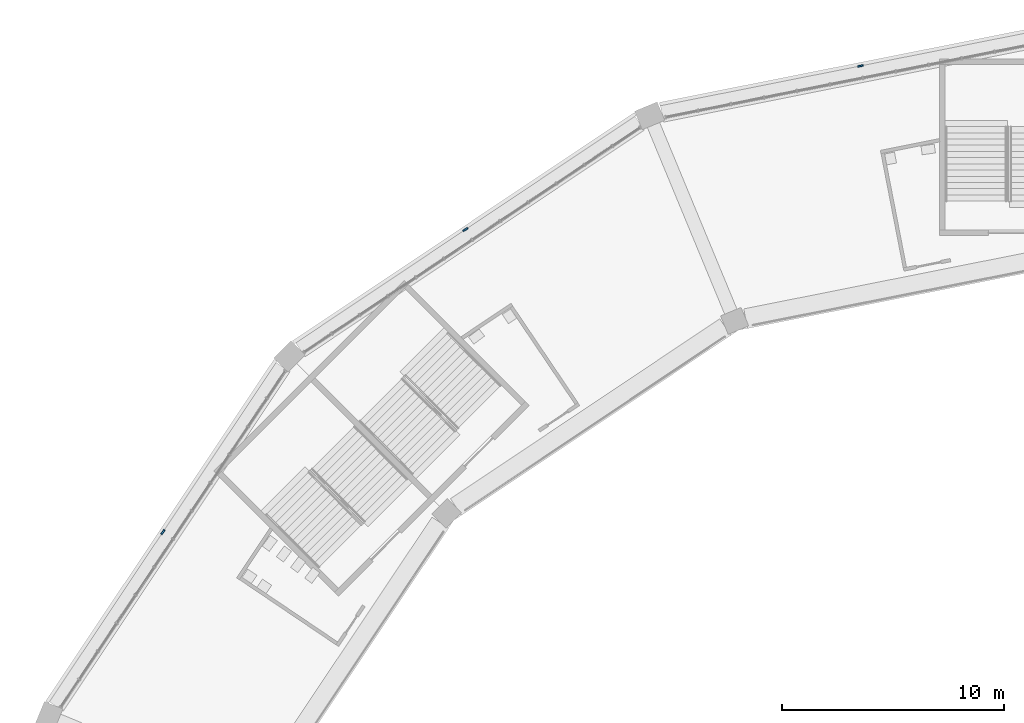
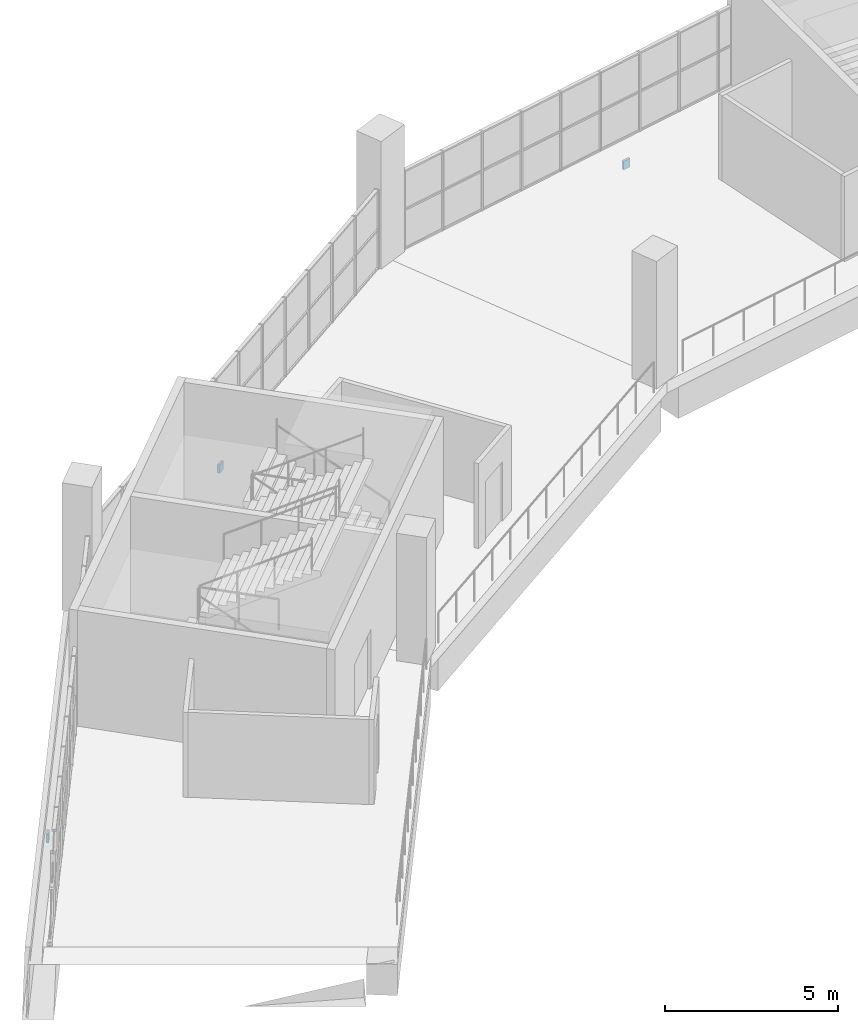
# One storey, part 78 of 177: 3 discrete accessories.
"""IFC4 building model written with IfcOpenShell, lengths in metres."""

from ifc_helpers import new_model, si_unit, direction, frame, origin, origin_2d, place, context, subcontext, project, spatial, rectangle, extrude, material, layer, layer_set, type_object, element, save


model = new_model("IFC4")

# Units and contexts
model_context = context("Model", 3, precision=1e-05, world=origin(), true_north=direction((0.0, 1.0)))
body_context = subcontext(model_context, "Body", "Model", "MODEL_VIEW")
ifc_project = project(units=[si_unit("LENGTHUNIT", "METRE"), si_unit("AREAUNIT", "SQUARE_METRE"), si_unit("VOLUMEUNIT", "CUBIC_METRE"), si_unit("PLANEANGLEUNIT", "RADIAN"), si_unit("MASSUNIT", "GRAM", prefix="KILO")], contexts=[model_context])

# Site, building, storey
site_placement = place(None, origin())
site = spatial("IfcSite", under=ifc_project, at=site_placement, CompositionType="ELEMENT")
building_placement = place(site_placement, origin())
building = spatial("IfcBuilding", under=site, at=building_placement, Name="Ogive Plaza Stadium", CompositionType="ELEMENT")
storey_placement = place(building_placement, frame((0.0, 0.0, 18.0)))
storey = spatial("IfcBuildingStorey", under=building, at=storey_placement, Name="L04", CompositionType="ELEMENT", Elevation=18.0)

# Discrete accessories
ifc_material = material(Name="Steel ASTM A572 Grade 50", Category="steel")
ifc_layer = layer(ifc_material, 0.080078125)
ifc_layer_set = layer_set([ifc_layer], Name="Steel ASTM A572 Grade 50")
discrete_accessory_type = type_object("IfcDiscreteAccessoryType", Name="Spandrel cladding bracket 250x300", PredefinedType="BRACKET", material=ifc_layer_set)
for number, where, z_axis, x_axis, name in (
    (1, (-75.065673828125, 79.939208984375, -1.60986328125), (0.0, 0.0, 1.0), (0.555570233005, 0.831469612312, 0.0), "SPANDREL BRACKET B29 L04"),
    (2, (-61.439208984375, 93.565673828125, -1.60986328125), (0.0, 0.0, 1.0), (0.831469612312, 0.555570233005, 0.0), "SPANDREL BRACKET B30 L04"),
    (3, (-43.635498046875, 100.940185546875, -1.60986328125), (0.0, 0.0, 1.0), (0.980785280403, 0.195090322016, 0.0), "SPANDREL BRACKET B31 L04"),
):
    element("IfcDiscreteAccessory", number, at=place(storey_placement, frame(where, z_axis=z_axis, x_axis=x_axis)), inside=storey, type_object=discrete_accessory_type, Name=name, PredefinedType="BRACKET", context=body_context, shape_type="SweptSolid", body=[
        extrude(rectangle(XDim=0.25, YDim=0.080078125, at=origin_2d()), origin(), (0.0, 0.0, 1.0), 0.300048828125),
    ])

save(model, "model.ifc")
